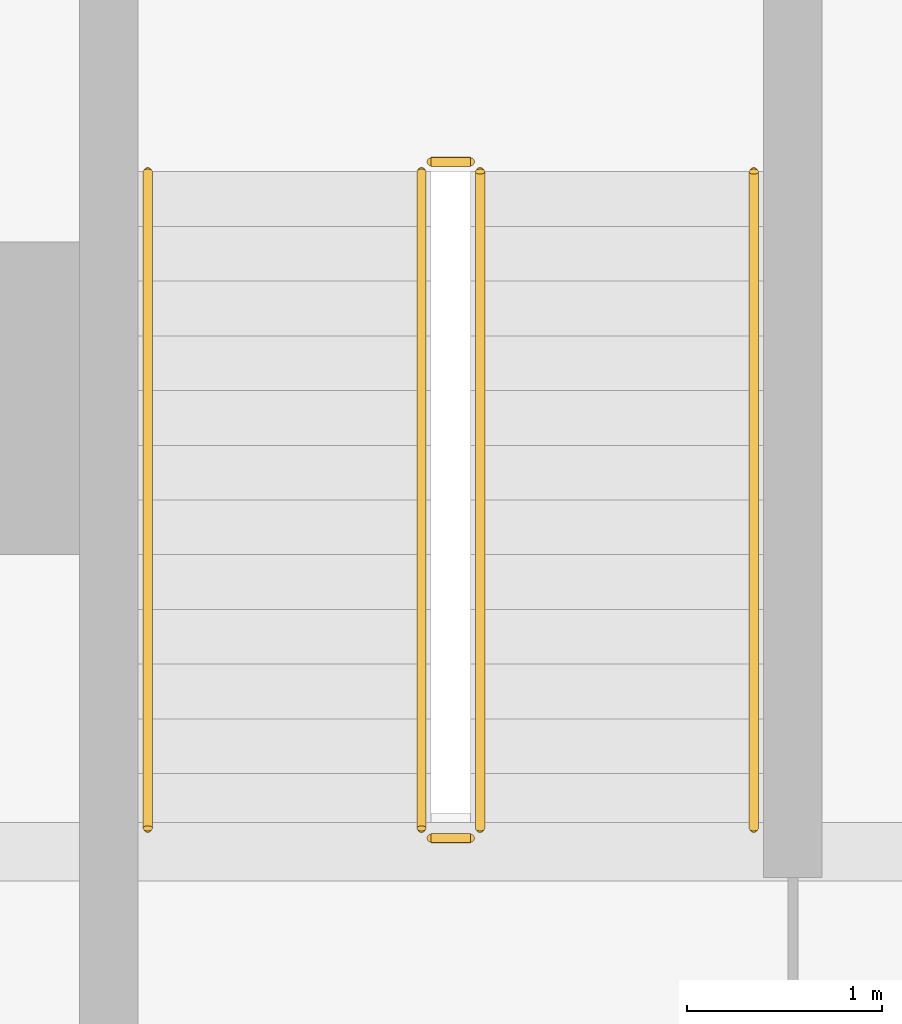
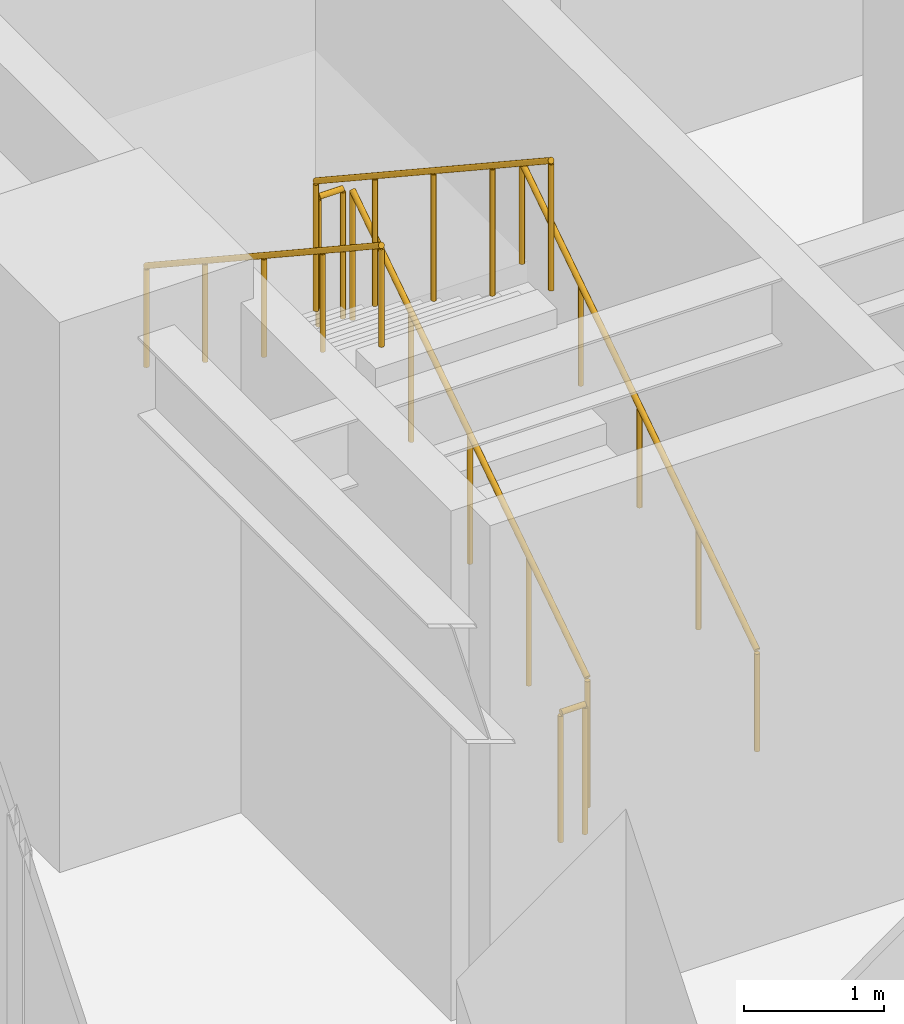
# One storey, part 30 of 32: 6 railings.
"""IFC4 building model written with IfcOpenShell, lengths in metres."""

from ifc_helpers import new_model, si_unit, direction, frame, origin, origin_2d, place, context, subcontext, project, spatial, circle, extrude, source, transform, mapped, material, type_object, type_shapes, element, save


model = new_model("IFC4")

# Units and contexts
model_context = context("Model", 3, precision=1e-05, world=origin(), true_north=direction((0.0, 1.0)))
body_context = subcontext(model_context, "Body", "Model", "MODEL_VIEW")
ifc_project = project(units=[si_unit("LENGTHUNIT", "METRE"), si_unit("AREAUNIT", "SQUARE_METRE"), si_unit("VOLUMEUNIT", "CUBIC_METRE"), si_unit("PLANEANGLEUNIT", "RADIAN"), si_unit("MASSUNIT", "GRAM", prefix="KILO")], contexts=[model_context])

# Site, building, storey
site_placement = place(None, origin())
site = spatial("IfcSite", under=ifc_project, at=site_placement, CompositionType="ELEMENT")
building_placement = place(site_placement, origin())
building = spatial("IfcBuilding", under=site, at=building_placement, Name="Haelvirn Gate Laboratories", CompositionType="ELEMENT")
storey_placement = place(building_placement, frame((0.0, 0.0, 5.39990234375)))
storey = spatial("IfcBuildingStorey", under=building, at=storey_placement, Name="L02", CompositionType="ELEMENT", Elevation=5.39990234375)

# Railings
ifc_material_1 = material(Name="Galvanised steel SM355 & stainless top rail", Category="steel")
railing_type_1 = type_object("IfcRailingType", Name="RL-GUARD-1150", PredefinedType="GUARDRAIL", material=ifc_material_1)
shared_shape_1 = source(origin(), body_context, "Body", "SweptSolid", [
    extrude(circle(Radius=0.02392578125, at=origin_2d()), frame((0.0, 0.0, 1.1259765625), z_axis=(-1.0, 0.0, 0.0), x_axis=(0.0, -1.0, 0.0)), (0.0, 0.0, 1.0), 0.199951171875),
    extrude(circle(Radius=0.02099609375, at=origin_2d()), origin(), (0.0, 0.0, 1.0), 1.101806640625),
    extrude(circle(Radius=0.02099609375, at=origin_2d()), frame((-0.199951171875, 0.0, 0.0)), (0.0, 0.0, 1.0), 1.101806640625),
])
for number, where, name in (
    (1, (55.300048828125, 8.2099609375, 2.400146484375), "L02 ST4 stair guard 2"),
    (2, (55.300048828125, 4.75, 0.0), "L02 ST4 stair guard 4"),
):
    element("IfcRailing", number, at=place(storey_placement, frame(where)), inside=storey, type_object=railing_type_1, Name=name, PredefinedType="GUARDRAIL", context=body_context, shape_type="MappedRepresentation", body=[
        mapped(shared_shape_1, transform((0.0, 0.0, 0.0), scale=1.0)),
    ])
shared_shape_2 = source(origin(), body_context, "Body", "SweptSolid", [
    extrude(circle(Radius=0.02392578125, at=origin_2d()), frame((0.0, 0.0, 1.1259765625), z_axis=(0.0, 0.834858096282, 0.550465220583), x_axis=(-1.0, 0.0, 0.0)), (0.0, 0.0, 1.0), 4.0244140625),
    extrude(circle(Radius=0.02099609375, at=origin_2d()), origin(), (0.0, 0.0, 1.0), 1.101806640625),
    extrude(circle(Radius=0.02099609375, at=origin_2d()), frame((0.0, 0.83984375, 0.5537109375)), (0.0, 0.0, 1.0), 1.101806640625),
    extrude(circle(Radius=0.02099609375, at=origin_2d()), frame((0.0, 1.679931640625, 1.107666015625)), (0.0, 0.0, 1.0), 1.101806640625),
    extrude(circle(Radius=0.02099609375, at=origin_2d()), frame((0.0, 2.52001953125, 1.66162109375)), (0.0, 0.0, 1.0), 1.101806640625),
    extrude(circle(Radius=0.02099609375, at=origin_2d()), frame((0.0, 3.35986328125, 2.21533203125)), (0.0, 0.0, 1.0), 1.101806640625),
])
railing_1_placement = place(storey_placement, frame((55.35009765625, 4.800048828125, 0.184814453125)))
element("IfcRailing", 3, at=railing_1_placement, inside=storey, type_object=railing_type_1, Name="L02 ST4 stair guard 1", PredefinedType="GUARDRAIL", context=body_context, shape_type="MappedRepresentation", body=[
    mapped(shared_shape_2, transform((0.0, 0.0, 0.0), scale=1.0)),
])
shared_shape_3 = source(origin(), body_context, "Body", "SweptSolid", [
    extrude(circle(Radius=0.02392578125, at=origin_2d()), frame((0.0, 0.0, 1.1259765625), z_axis=(0.0, -0.834858096282, 0.550465220583), x_axis=(1.0, 0.0, 0.0)), (0.0, 0.0, 1.0), 4.0244140625),
    extrude(circle(Radius=0.02099609375, at=origin_2d()), origin(), (0.0, 0.0, 1.0), 1.101806640625),
    extrude(circle(Radius=0.02099609375, at=origin_2d()), frame((0.0, -0.83984375, 0.5537109375)), (0.0, 0.0, 1.0), 1.101806640625),
    extrude(circle(Radius=0.02099609375, at=origin_2d()), frame((0.0, -1.679931640625, 1.107666015625)), (0.0, 0.0, 1.0), 1.101806640625),
    extrude(circle(Radius=0.02099609375, at=origin_2d()), frame((0.0, -2.52001953125, 1.66162109375)), (0.0, 0.0, 1.0), 1.101806640625),
    extrude(circle(Radius=0.02099609375, at=origin_2d()), frame((0.0, -3.35986328125, 2.21533203125)), (0.0, 0.0, 1.0), 1.101806640625),
])
type_shapes(railing_type_1, [shared_shape_1, shared_shape_2, shared_shape_3])
railing_2_placement = place(storey_placement, frame((55.050048828125, 8.159912109375, 2.584716796875)))
element("IfcRailing", 4, at=railing_2_placement, inside=storey, type_object=railing_type_1, Name="L02 ST4 stair guard 3", PredefinedType="GUARDRAIL", context=body_context, shape_type="MappedRepresentation", body=[
    mapped(shared_shape_3, transform((0.0, 0.0, 0.0), scale=1.0)),
])
ifc_material_2 = material(Name="Brushed stainless steel 316L", Category="steel")
railing_type_2 = type_object("IfcRailingType", Name="RL-HAND-920", PredefinedType="HANDRAIL", material=ifc_material_2)
shared_shape_4 = source(origin(), body_context, "Body", "SweptSolid", [
    extrude(circle(Radius=0.02392578125, at=origin_2d()), frame((0.0, 0.0, 0.8759765625), z_axis=(0.0, 0.834858096282, 0.550465220583), x_axis=(-1.0, 0.0, 0.0)), (0.0, 0.0, 1.0), 4.0244140625),
    extrude(circle(Radius=0.02099609375, at=origin_2d()), origin(), (0.0, 0.0, 1.0), 0.851806640625),
    extrude(circle(Radius=0.02099609375, at=origin_2d()), frame((0.0, 0.83984375, 0.5537109375)), (0.0, 0.0, 1.0), 0.851806640625),
    extrude(circle(Radius=0.02099609375, at=origin_2d()), frame((0.0, 1.679931640625, 1.107666015625)), (0.0, 0.0, 1.0), 0.851806640625),
    extrude(circle(Radius=0.02099609375, at=origin_2d()), frame((0.0, 2.52001953125, 1.66162109375)), (0.0, 0.0, 1.0), 0.851806640625),
    extrude(circle(Radius=0.02099609375, at=origin_2d()), frame((0.0, 3.35986328125, 2.21533203125)), (0.0, 0.0, 1.0), 0.851806640625),
])
railing_3_placement = place(storey_placement, frame((56.75, 4.800048828125, 0.184814453125)))
element("IfcRailing", 5, at=railing_3_placement, inside=storey, type_object=railing_type_2, Name="L02 ST4 stair handrail 1", PredefinedType="HANDRAIL", context=body_context, shape_type="MappedRepresentation", body=[
    mapped(shared_shape_4, transform((0.0, 0.0, 0.0), scale=1.0)),
])
shared_shape_5 = source(origin(), body_context, "Body", "SweptSolid", [
    extrude(circle(Radius=0.02392578125, at=origin_2d()), frame((0.0, 0.0, 0.8759765625), z_axis=(0.0, -0.834858096282, 0.550465220583), x_axis=(1.0, 0.0, 0.0)), (0.0, 0.0, 1.0), 4.0244140625),
    extrude(circle(Radius=0.02099609375, at=origin_2d()), origin(), (0.0, 0.0, 1.0), 0.851806640625),
    extrude(circle(Radius=0.02099609375, at=origin_2d()), frame((0.0, -0.83984375, 0.5537109375)), (0.0, 0.0, 1.0), 0.851806640625),
    extrude(circle(Radius=0.02099609375, at=origin_2d()), frame((0.0, -1.679931640625, 1.107666015625)), (0.0, 0.0, 1.0), 0.851806640625),
    extrude(circle(Radius=0.02099609375, at=origin_2d()), frame((0.0, -2.52001953125, 1.66162109375)), (0.0, 0.0, 1.0), 0.851806640625),
    extrude(circle(Radius=0.02099609375, at=origin_2d()), frame((0.0, -3.35986328125, 2.21533203125)), (0.0, 0.0, 1.0), 0.851806640625),
])
type_shapes(railing_type_2, [shared_shape_4, shared_shape_5])
railing_4_placement = place(storey_placement, frame((53.64990234375, 8.159912109375, 2.584716796875)))
element("IfcRailing", 6, at=railing_4_placement, inside=storey, type_object=railing_type_2, Name="L02 ST4 stair handrail 2", PredefinedType="HANDRAIL", context=body_context, shape_type="MappedRepresentation", body=[
    mapped(shared_shape_5, transform((0.0, 0.0, 0.0), scale=1.0)),
])

save(model, "model.ifc")
